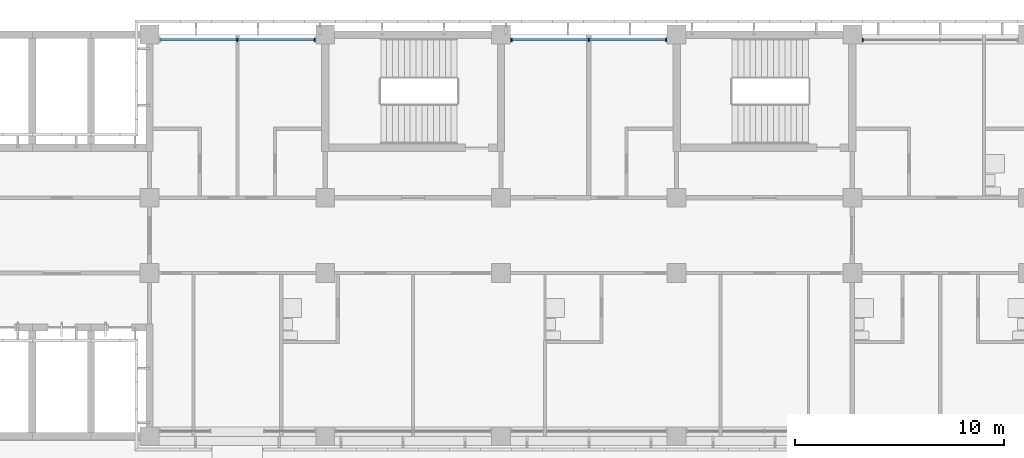
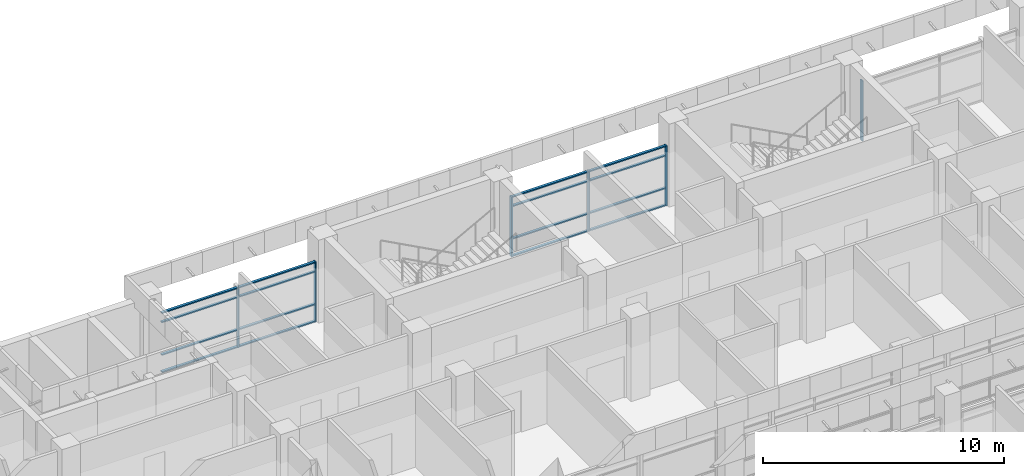
# One storey, part 43 of 137: 22 members, 3 elements without a shape of their own.
"""IFC4 building model written with IfcOpenShell, lengths in metres."""

import ifcopenshell
import ifcopenshell.guid

model = None  # the IFC model being written
_history = None  # IfcOwnerHistory: only IFC2X3 demands one
_inside = {}  # id of a spatial element -> (the spatial element, [elements in it])
_under = {}  # id of a project, library or spatial element -> (it, [spatial elements below it])
_declared = {}  # id of a project -> (the project, [libraries it declares])
_typed = {}  # id of a type object -> (the type object, [elements of that type])
_made_of = {}  # id of a material, layer set ... -> (it, [elements and type objects made of it])


def new_model(schema):
    """Start an empty IFC model of exactly this schema.

    Asked for "IFC4X3", IfcOpenShell would pick the latest addendum, in which some entities
    have other attributes; the version numbers below select the first issue.
    IFC2X3 requires an IfcOwnerHistory on every rooted entity: one is made here for all.
    """
    global model, _history
    if schema == "IFC4X3":
        model = ifcopenshell.file(schema_version=(4, 3, 0, 0))
    else:
        model = ifcopenshell.file(schema=schema)
    _inside.clear()
    _under.clear()
    _declared.clear()
    _typed.clear()
    _made_of.clear()
    _history = None
    if model.schema == "IFC2X3":
        org = make("IfcOrganization", Name="unknown")
        user = make(
            "IfcPersonAndOrganization",
            ThePerson=make("IfcPerson", FamilyName="unknown"),
            TheOrganization=org,
        )
        app = make(
            "IfcApplication",
            ApplicationDeveloper=org,
            Version="unknown",
            ApplicationFullName="unknown",
            ApplicationIdentifier="unknown",
        )
        _history = make(
            "IfcOwnerHistory",
            OwningUser=user,
            OwningApplication=app,
            ChangeAction="ADDED",
            CreationDate=0,
        )
    return model


def make(cls, **values):
    """One entity of the class cls with the attributes given. An attribute that is None is left unset."""
    return model.create_entity(
        cls, **{name: value for name, value in values.items() if value is not None}
    )


def rooted(cls, **values):
    """An entity with a GlobalId (a new one), such as an element, a storey or a relation."""
    return make(cls, GlobalId=ifcopenshell.guid.new(), OwnerHistory=_history, **values)


def si_unit(unit_type, name, prefix=None):
    """IfcSIUnit, for example si_unit("LENGTHUNIT", "METRE", prefix="MILLI")."""
    return make("IfcSIUnit", UnitType=unit_type, Prefix=prefix, Name=name)


def assignment(units):
    """IfcUnitAssignment: the units of a project."""
    return None if units is None else make("IfcUnitAssignment", Units=units)


def point(xyz):
    """IfcCartesianPoint."""
    return None if xyz is None else make("IfcCartesianPoint", Coordinates=xyz)


def direction(xyz):
    """IfcDirection."""
    return None if xyz is None else make("IfcDirection", DirectionRatios=xyz)


def frame(location, z_axis=None, x_axis=None):
    """IfcAxis2Placement3D, a coordinate frame: its origin and axes. An axis left out is left unset."""
    return make(
        "IfcAxis2Placement3D",
        Location=point(location),
        Axis=direction(z_axis),
        RefDirection=direction(x_axis),
    )


def frame_2d(location, x_axis=None):
    """IfcAxis2Placement2D, a coordinate frame in the plane: its origin and x axis."""
    return make(
        "IfcAxis2Placement2D", Location=point(location), RefDirection=direction(x_axis)
    )


def origin():
    """The frame at (0, 0, 0) with its axes left unset."""
    return frame((0.0, 0.0, 0.0))


def origin_2d():
    """The frame at (0, 0) in the plane with its x axis left unset."""
    return frame_2d((0.0, 0.0))


def place(relative_to, where):
    """IfcLocalPlacement: puts the frame where relative to a parent placement (None: the world)."""
    return make(
        "IfcLocalPlacement", PlacementRelTo=relative_to, RelativePlacement=where
    )


def context(
    kind, dimensions, precision=None, world=None, true_north=None, identifier=None
):
    """IfcGeometricRepresentationContext, for example the 3D "Model" context."""
    return make(
        "IfcGeometricRepresentationContext",
        ContextIdentifier=identifier,
        ContextType=kind,
        CoordinateSpaceDimension=dimensions,
        Precision=precision,
        WorldCoordinateSystem=world,
        TrueNorth=true_north,
    )


def subcontext(parent, identifier, kind, view, scale=None):
    """IfcGeometricRepresentationSubContext, for example "Body" below "Model"."""
    return make(
        "IfcGeometricRepresentationSubContext",
        ContextIdentifier=identifier,
        ContextType=kind,
        ParentContext=parent,
        TargetScale=scale,
        TargetView=view,
    )


def project(units=None, contexts=None):
    """IfcProject with its units and contexts."""
    return rooted(
        "IfcProject",
        Name="project",
        RepresentationContexts=contexts,
        UnitsInContext=assignment(units),
    )


def spatial(cls, under=None, at=None, **own):
    """A site, building, storey or space (cls), placed at a placement, below another one or the project."""
    s = rooted(cls, ObjectPlacement=at, **own)
    if under is not None:
        _under.setdefault(under.id(), (under, []))[1].append(s)
    return s


def profile(cls, at=None, kind="AREA", **sizes):
    """A parametric profile (cls). Its sizes go by their IFC names, for example OverallWidth=200.0."""
    return make(cls, ProfileType=kind, Position=at, **sizes)


def rectangle(**sizes):
    """IfcRectangleProfileDef."""
    return profile("IfcRectangleProfileDef", **sizes)


def extrude(swept, where, along, depth):
    """IfcExtrudedAreaSolid: the profile swept, set in the frame where, extruded along a direction by depth."""
    return make(
        "IfcExtrudedAreaSolid",
        SweptArea=swept,
        Position=where,
        ExtrudedDirection=direction(along),
        Depth=depth,
    )


def shape(context_of_items, identifier, shape_type, items):
    """IfcShapeRepresentation: the items that make up one representation, for example the "Body"."""
    return make(
        "IfcShapeRepresentation",
        ContextOfItems=context_of_items,
        RepresentationIdentifier=identifier,
        RepresentationType=shape_type,
        Items=items,
    )


def material(Name=None, Category=None):
    """IfcMaterial."""
    return make("IfcMaterial", Name=Name, Category=Category)


def material_profile(
    of_material, cross_section, Name=None, Category=None, Priority=None
):
    """IfcMaterialProfile: a cross section and its material."""
    return make(
        "IfcMaterialProfile",
        Name=Name,
        Material=of_material,
        Profile=cross_section,
        Priority=Priority,
        Category=Category,
    )


def profile_set(profiles, Name=None, composite=None):
    """IfcMaterialProfileSet."""
    return make(
        "IfcMaterialProfileSet",
        Name=Name,
        MaterialProfiles=profiles,
        CompositeProfile=composite,
    )


def made_of(thing, what):
    """Note that an element or type object is made of a material, layer set ...; save() writes the relation."""
    if what is not None:
        _made_of.setdefault(what.id(), (what, []))[1].append(thing)
    return thing


def type_object(cls, material=None, **own):
    """A type object (cls), such as IfcWallType, which elements share."""
    return made_of(rooted(cls, **own), material)


def element(
    cls,
    number,
    at=None,
    inside=None,
    cuts=None,
    type_object=None,
    material=None,
    context=None,
    identifier="Body",
    shape_type=None,
    held_by="IfcProductDefinitionShape",
    body=None,
    shapes=None,
    **own,
):
    """One element of the class cls, such as IfcWall. Its Tag is "e" and its number.

    at: its placement. inside: the storey or other place that contains it. cuts: it is an
    opening in that element (IfcRelVoidsElement). A single representation is given by context,
    identifier, shape_type and body (its items); several are given by shapes. held_by: the class
    of the entity that holds the representations. save() writes the other relations.
    """
    e = rooted(cls, Tag="e%d" % number, ObjectPlacement=at, **own)
    if body is not None:
        shapes = [shape(context, identifier, shape_type, body)]
    if shapes is not None:
        e.Representation = make(held_by, Representations=shapes)
    if inside is not None:
        _inside.setdefault(inside.id(), (inside, []))[1].append(e)
    if cuts is not None:
        rooted(
            "IfcRelVoidsElement", RelatingBuildingElement=cuts, RelatedOpeningElement=e
        )
    if type_object is not None:
        _typed.setdefault(type_object.id(), (type_object, []))[1].append(e)
    return made_of(e, material)


def aggregate(whole, parts):
    """IfcRelAggregates: a whole, such as a stair, and the parts it consists of."""
    return rooted("IfcRelAggregates", RelatingObject=whole, RelatedObjects=parts)


def save(model, path):
    """Write the relations noted so far, then the file.

    IfcRelAggregates (storeys below a building ...), IfcRelContainedInSpatialStructure (elements
    in a storey), IfcRelDefinesByType, IfcRelAssociatesMaterial and IfcRelDeclares: one each for
    every whole, place, type object, material and project.
    """
    for whole, parts in _under.values():
        aggregate(whole, parts)
    for where, things in _inside.values():
        rooted(
            "IfcRelContainedInSpatialStructure",
            RelatedElements=things,
            RelatingStructure=where,
        )
    for kind, things in _typed.values():
        rooted("IfcRelDefinesByType", RelatedObjects=things, RelatingType=kind)
    for what, things in _made_of.values():
        rooted("IfcRelAssociatesMaterial", RelatedObjects=things, RelatingMaterial=what)
    for by, libraries in _declared.values():
        rooted("IfcRelDeclares", RelatingContext=by, RelatedDefinitions=libraries)
    model.write(path)


model = new_model("IFC4")

# Units and contexts
model_context = context("Model", 3, precision=1e-05, world=origin(), true_north=direction((0.0, 1.0)))
body_context = subcontext(model_context, "Body", "Model", "MODEL_VIEW")
ifc_project = project(units=[si_unit("LENGTHUNIT", "METRE"), si_unit("AREAUNIT", "SQUARE_METRE"), si_unit("VOLUMEUNIT", "CUBIC_METRE"), si_unit("PLANEANGLEUNIT", "RADIAN"), si_unit("MASSUNIT", "GRAM", prefix="KILO")], contexts=[model_context])

# Site, building, storey
site_placement = place(None, origin())
site = spatial("IfcSite", under=ifc_project, at=site_placement, CompositionType="ELEMENT")
building_placement = place(site_placement, origin())
building = spatial("IfcBuilding", under=site, at=building_placement, Name="Bougainvillea Quay General Hospital", CompositionType="ELEMENT")
storey_placement = place(building_placement, frame((0.0, 0.0, 16.800048828125)))
storey = spatial("IfcBuildingStorey", under=building, at=storey_placement, Name="L03", CompositionType="ELEMENT", Elevation=16.800048828125)

# Curtain wall, member
ifc_material_1 = material(Name="Aluminium curtain wall system, powder-coated glazed", Category="aluminium")
curtain_wall_type = type_object("IfcCurtainWallType", Name="Unitised curtain wall CW-3730", PredefinedType="NOTDEFINED", material=ifc_material_1)
curtain_wall_1_placement = place(storey_placement, origin())
curtain_wall_1 = element("IfcCurtainWall", 1, at=curtain_wall_1_placement, inside=storey, type_object=curtain_wall_type, Name="CW-4200 03", PredefinedType="NOTDEFINED")
ifc_material_2 = material(Name="Aluminium mullion, powder-coated charcoal", Category="aluminium")
ifc_material_profile_1 = material_profile(ifc_material_2, rectangle(XDim=0.159912109375, YDim=0.06005859375, at=origin_2d()))
ifc_profile_set_1 = profile_set([ifc_material_profile_1], Name="Aluminium mullion, powder-coated charcoal")
member_type_1 = type_object("IfcMemberType", Name="Curtain wall mullion 160x60", PredefinedType="MULLION", material=ifc_profile_set_1)
member_1_placement = place(storey_placement, frame((109.699951171875, 159.35009765625, 0.0), z_axis=(0.0, 0.0, 1.0), x_axis=(0.0, -1.0, 0.0)))
member_1 = element("IfcMember", 2, at=member_1_placement, type_object=member_type_1, Name="CW-4200 mullion 3", PredefinedType="MULLION", context=body_context, shape_type="SweptSolid", body=[
    extrude(rectangle(XDim=0.159912109375, YDim=0.06005859375, at=origin_2d()), origin(), (0.0, 0.0, 1.0), 3.050048828125),
])
aggregate(curtain_wall_1, [member_1])

# Curtain wall, members
curtain_wall_2_placement = place(storey_placement, origin())
curtain_wall_2 = element("IfcCurtainWall", 3, at=curtain_wall_2_placement, inside=storey, type_object=curtain_wall_type, Name="CW-4200 04", PredefinedType="NOTDEFINED")
member_2_placement = place(storey_placement, frame((100.300048828125, 159.35009765625, 0.0), z_axis=(0.0, 0.0, 1.0), x_axis=(0.0, -1.0, 0.0)))
member_2 = element("IfcMember", 4, at=member_2_placement, type_object=member_type_1, Name="CW-4200 mullion 1", PredefinedType="MULLION", context=body_context, shape_type="SweptSolid", body=[
    extrude(rectangle(XDim=0.159912109375, YDim=0.06005859375, at=origin_2d()), origin(), (0.0, 0.0, 1.0), 3.050048828125),
])
member_3_placement = place(storey_placement, frame((96.60009765625, 159.35009765625, 0.0), z_axis=(0.0, 0.0, 1.0), x_axis=(0.0, -1.0, 0.0)))
member_3 = element("IfcMember", 5, at=member_3_placement, type_object=member_type_1, Name="CW-4200 mullion 2", PredefinedType="MULLION", context=body_context, shape_type="SweptSolid", body=[
    extrude(rectangle(XDim=0.159912109375, YDim=0.06005859375, at=origin_2d()), origin(), (0.0, 0.0, 1.0), 3.050048828125),
])
member_4_placement = place(storey_placement, frame((92.89990234375, 159.35009765625, 0.0), z_axis=(0.0, 0.0, 1.0), x_axis=(0.0, -1.0, 0.0)))
member_4 = element("IfcMember", 6, at=member_4_placement, type_object=member_type_1, Name="CW-4200 mullion 3", PredefinedType="MULLION", context=body_context, shape_type="SweptSolid", body=[
    extrude(rectangle(XDim=0.159912109375, YDim=0.06005859375, at=origin_2d()), origin(), (0.0, 0.0, 1.0), 3.050048828125),
])

curtain_wall_3_placement = place(storey_placement, origin())
curtain_wall_3 = element("IfcCurtainWall", 7, at=curtain_wall_3_placement, inside=storey, type_object=curtain_wall_type, Name="CW-4200 05", PredefinedType="NOTDEFINED")
member_5_placement = place(storey_placement, frame((83.5, 159.35009765625, 0.0), z_axis=(0.0, 0.0, 1.0), x_axis=(0.0, -1.0, 0.0)))
member_5 = element("IfcMember", 8, at=member_5_placement, type_object=member_type_1, Name="CW-4200 mullion 1", PredefinedType="MULLION", context=body_context, shape_type="SweptSolid", body=[
    extrude(rectangle(XDim=0.159912109375, YDim=0.06005859375, at=origin_2d()), origin(), (0.0, 0.0, 1.0), 3.050048828125),
])
member_6_placement = place(storey_placement, frame((79.800048828125, 159.35009765625, 0.0), z_axis=(0.0, 0.0, 1.0), x_axis=(0.0, -1.0, 0.0)))
member_6 = element("IfcMember", 9, at=member_6_placement, type_object=member_type_1, Name="CW-4200 mullion 2", PredefinedType="MULLION", context=body_context, shape_type="SweptSolid", body=[
    extrude(rectangle(XDim=0.159912109375, YDim=0.06005859375, at=origin_2d()), origin(), (0.0, 0.0, 1.0), 3.050048828125),
])

# Member
ifc_material_3 = material(Name="Aluminium transom, powder-coated charcoal", Category="aluminium")
ifc_material_profile_2 = material_profile(ifc_material_3, rectangle(XDim=0.1201171875, YDim=0.06005859375, at=origin_2d()))
ifc_profile_set_2 = profile_set([ifc_material_profile_2], Name="Aluminium transom, powder-coated charcoal")
member_type_2 = type_object("IfcMemberType", Name="Curtain wall transom 120x60", PredefinedType="USERDEFINED", material=ifc_profile_set_2)
member_7_placement = place(storey_placement, frame((100.27001953125, 159.35009765625, 0.030029296875), z_axis=(-1.0, 0.0, 0.0), x_axis=(0.0, -1.0, 0.0)))
member_7 = element("IfcMember", 10, at=member_7_placement, type_object=member_type_2, Name="CW-4200 transom 1.1", ObjectType="TRANSOM", PredefinedType="USERDEFINED", context=body_context, shape_type="SweptSolid", body=[
    extrude(rectangle(XDim=0.1201171875, YDim=0.06005859375, at=origin_2d()), origin(), (0.0, 0.0, 1.0), 3.64013671875),
])

member_8_placement = place(storey_placement, frame((100.27001953125, 159.35009765625, 0.89990234375), z_axis=(-1.0, 0.0, 0.0), x_axis=(0.0, -1.0, 0.0)))
member_8 = element("IfcMember", 11, at=member_8_placement, type_object=member_type_2, Name="CW-4200 transom 1.2", ObjectType="TRANSOM", PredefinedType="USERDEFINED", context=body_context, shape_type="SweptSolid", body=[
    extrude(rectangle(XDim=0.1201171875, YDim=0.06005859375, at=origin_2d()), origin(), (0.0, 0.0, 1.0), 3.64013671875),
])

member_9_placement = place(storey_placement, frame((100.27001953125, 159.35009765625, 2.550048828125), z_axis=(-1.0, 0.0, 0.0), x_axis=(0.0, -1.0, 0.0)))
member_9 = element("IfcMember", 12, at=member_9_placement, type_object=member_type_2, Name="CW-4200 transom 1.3", ObjectType="TRANSOM", PredefinedType="USERDEFINED", context=body_context, shape_type="SweptSolid", body=[
    extrude(rectangle(XDim=0.1201171875, YDim=0.06005859375, at=origin_2d()), origin(), (0.0, 0.0, 1.0), 3.64013671875),
])

member_10_placement = place(storey_placement, frame((100.27001953125, 159.35009765625, 3.02001953125), z_axis=(-1.0, 0.0, 0.0), x_axis=(0.0, -1.0, 0.0)))
member_10 = element("IfcMember", 13, at=member_10_placement, type_object=member_type_2, Name="CW-4200 transom 1.4", ObjectType="TRANSOM", PredefinedType="USERDEFINED", context=body_context, shape_type="SweptSolid", body=[
    extrude(rectangle(XDim=0.1201171875, YDim=0.06005859375, at=origin_2d()), origin(), (0.0, 0.0, 1.0), 3.64013671875),
])

member_11_placement = place(storey_placement, frame((96.570068359375, 159.35009765625, 0.030029296875), z_axis=(-1.0, 0.0, 0.0), x_axis=(0.0, -1.0, 0.0)))
member_11 = element("IfcMember", 14, at=member_11_placement, type_object=member_type_2, Name="CW-4200 transom 2.1", ObjectType="TRANSOM", PredefinedType="USERDEFINED", context=body_context, shape_type="SweptSolid", body=[
    extrude(rectangle(XDim=0.1201171875, YDim=0.06005859375, at=origin_2d()), origin(), (0.0, 0.0, 1.0), 3.64013671875),
])

member_12_placement = place(storey_placement, frame((96.570068359375, 159.35009765625, 0.89990234375), z_axis=(-1.0, 0.0, 0.0), x_axis=(0.0, -1.0, 0.0)))
member_12 = element("IfcMember", 15, at=member_12_placement, type_object=member_type_2, Name="CW-4200 transom 2.2", ObjectType="TRANSOM", PredefinedType="USERDEFINED", context=body_context, shape_type="SweptSolid", body=[
    extrude(rectangle(XDim=0.1201171875, YDim=0.06005859375, at=origin_2d()), origin(), (0.0, 0.0, 1.0), 3.64013671875),
])

member_13_placement = place(storey_placement, frame((96.570068359375, 159.35009765625, 2.550048828125), z_axis=(-1.0, 0.0, 0.0), x_axis=(0.0, -1.0, 0.0)))
member_13 = element("IfcMember", 16, at=member_13_placement, type_object=member_type_2, Name="CW-4200 transom 2.3", ObjectType="TRANSOM", PredefinedType="USERDEFINED", context=body_context, shape_type="SweptSolid", body=[
    extrude(rectangle(XDim=0.1201171875, YDim=0.06005859375, at=origin_2d()), origin(), (0.0, 0.0, 1.0), 3.64013671875),
])

member_14_placement = place(storey_placement, frame((96.570068359375, 159.35009765625, 3.02001953125), z_axis=(-1.0, 0.0, 0.0), x_axis=(0.0, -1.0, 0.0)))
member_14 = element("IfcMember", 17, at=member_14_placement, type_object=member_type_2, Name="CW-4200 transom 2.4", ObjectType="TRANSOM", PredefinedType="USERDEFINED", context=body_context, shape_type="SweptSolid", body=[
    extrude(rectangle(XDim=0.1201171875, YDim=0.06005859375, at=origin_2d()), origin(), (0.0, 0.0, 1.0), 3.64013671875),
])

aggregate(curtain_wall_2, [member_2, member_3, member_4, member_7, member_8, member_9, member_10, member_11, member_12, member_13, member_14])

member_15_placement = place(storey_placement, frame((83.469970703125, 159.35009765625, 0.030029296875), z_axis=(-1.0, 0.0, 0.0), x_axis=(0.0, -1.0, 0.0)))
member_15 = element("IfcMember", 18, at=member_15_placement, type_object=member_type_2, Name="CW-4200 transom 1.1", ObjectType="TRANSOM", PredefinedType="USERDEFINED", context=body_context, shape_type="SweptSolid", body=[
    extrude(rectangle(XDim=0.1201171875, YDim=0.06005859375, at=origin_2d()), origin(), (0.0, 0.0, 1.0), 3.639892578125),
])

member_16_placement = place(storey_placement, frame((83.469970703125, 159.35009765625, 0.89990234375), z_axis=(-1.0, 0.0, 0.0), x_axis=(0.0, -1.0, 0.0)))
member_16 = element("IfcMember", 19, at=member_16_placement, type_object=member_type_2, Name="CW-4200 transom 1.2", ObjectType="TRANSOM", PredefinedType="USERDEFINED", context=body_context, shape_type="SweptSolid", body=[
    extrude(rectangle(XDim=0.1201171875, YDim=0.06005859375, at=origin_2d()), origin(), (0.0, 0.0, 1.0), 3.639892578125),
])

member_17_placement = place(storey_placement, frame((83.469970703125, 159.35009765625, 2.550048828125), z_axis=(-1.0, 0.0, 0.0), x_axis=(0.0, -1.0, 0.0)))
member_17 = element("IfcMember", 20, at=member_17_placement, type_object=member_type_2, Name="CW-4200 transom 1.3", ObjectType="TRANSOM", PredefinedType="USERDEFINED", context=body_context, shape_type="SweptSolid", body=[
    extrude(rectangle(XDim=0.1201171875, YDim=0.06005859375, at=origin_2d()), origin(), (0.0, 0.0, 1.0), 3.639892578125),
])

member_18_placement = place(storey_placement, frame((83.469970703125, 159.35009765625, 3.02001953125), z_axis=(-1.0, 0.0, 0.0), x_axis=(0.0, -1.0, 0.0)))
member_18 = element("IfcMember", 21, at=member_18_placement, type_object=member_type_2, Name="CW-4200 transom 1.4", ObjectType="TRANSOM", PredefinedType="USERDEFINED", context=body_context, shape_type="SweptSolid", body=[
    extrude(rectangle(XDim=0.1201171875, YDim=0.06005859375, at=origin_2d()), origin(), (0.0, 0.0, 1.0), 3.639892578125),
])

member_19_placement = place(storey_placement, frame((79.77001953125, 159.35009765625, 0.030029296875), z_axis=(-1.0, 0.0, 0.0), x_axis=(0.0, -1.0, 0.0)))
member_19 = element("IfcMember", 22, at=member_19_placement, type_object=member_type_2, Name="CW-4200 transom 2.1", ObjectType="TRANSOM", PredefinedType="USERDEFINED", context=body_context, shape_type="SweptSolid", body=[
    extrude(rectangle(XDim=0.1201171875, YDim=0.06005859375, at=origin_2d()), origin(), (0.0, 0.0, 1.0), 3.64013671875),
])

member_20_placement = place(storey_placement, frame((79.77001953125, 159.35009765625, 0.89990234375), z_axis=(-1.0, 0.0, 0.0), x_axis=(0.0, -1.0, 0.0)))
member_20 = element("IfcMember", 23, at=member_20_placement, type_object=member_type_2, Name="CW-4200 transom 2.2", ObjectType="TRANSOM", PredefinedType="USERDEFINED", context=body_context, shape_type="SweptSolid", body=[
    extrude(rectangle(XDim=0.1201171875, YDim=0.06005859375, at=origin_2d()), origin(), (0.0, 0.0, 1.0), 3.64013671875),
])

member_21_placement = place(storey_placement, frame((79.77001953125, 159.35009765625, 2.550048828125), z_axis=(-1.0, 0.0, 0.0), x_axis=(0.0, -1.0, 0.0)))
member_21 = element("IfcMember", 24, at=member_21_placement, type_object=member_type_2, Name="CW-4200 transom 2.3", ObjectType="TRANSOM", PredefinedType="USERDEFINED", context=body_context, shape_type="SweptSolid", body=[
    extrude(rectangle(XDim=0.1201171875, YDim=0.06005859375, at=origin_2d()), origin(), (0.0, 0.0, 1.0), 3.64013671875),
])

member_22_placement = place(storey_placement, frame((79.77001953125, 159.35009765625, 3.02001953125), z_axis=(-1.0, 0.0, 0.0), x_axis=(0.0, -1.0, 0.0)))
member_22 = element("IfcMember", 25, at=member_22_placement, type_object=member_type_2, Name="CW-4200 transom 2.4", ObjectType="TRANSOM", PredefinedType="USERDEFINED", context=body_context, shape_type="SweptSolid", body=[
    extrude(rectangle(XDim=0.1201171875, YDim=0.06005859375, at=origin_2d()), origin(), (0.0, 0.0, 1.0), 3.64013671875),
])

aggregate(curtain_wall_3, [member_5, member_6, member_15, member_16, member_17, member_18, member_19, member_20, member_21, member_22])

save(model, "model.ifc")
